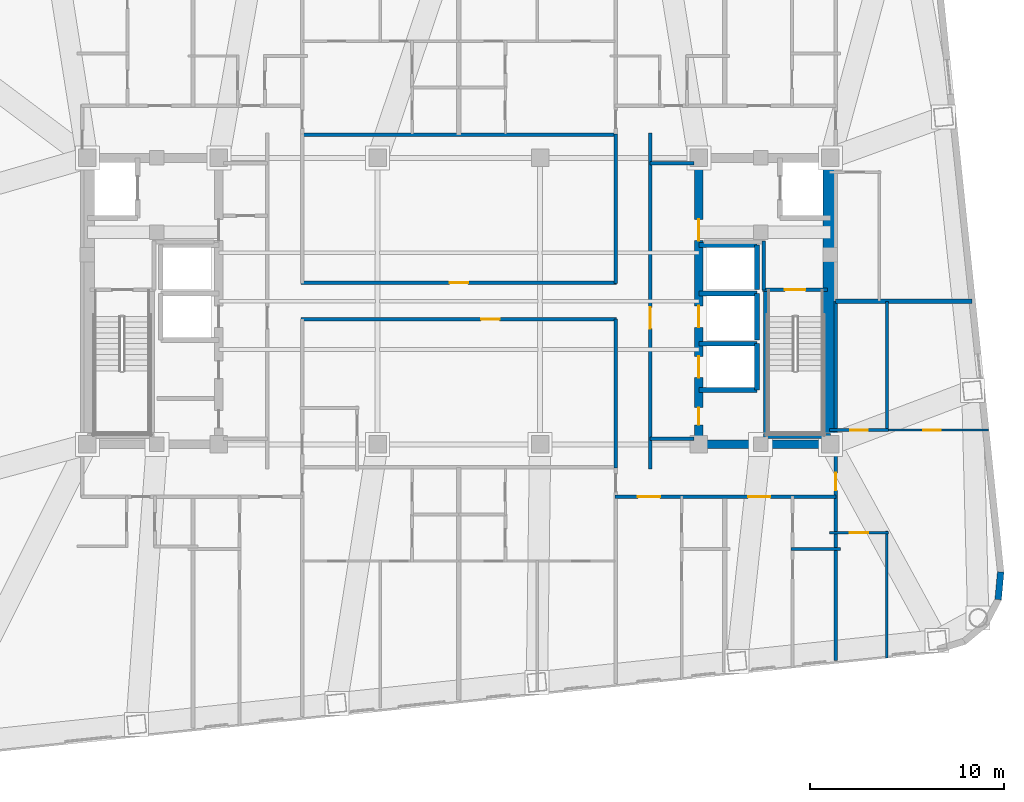
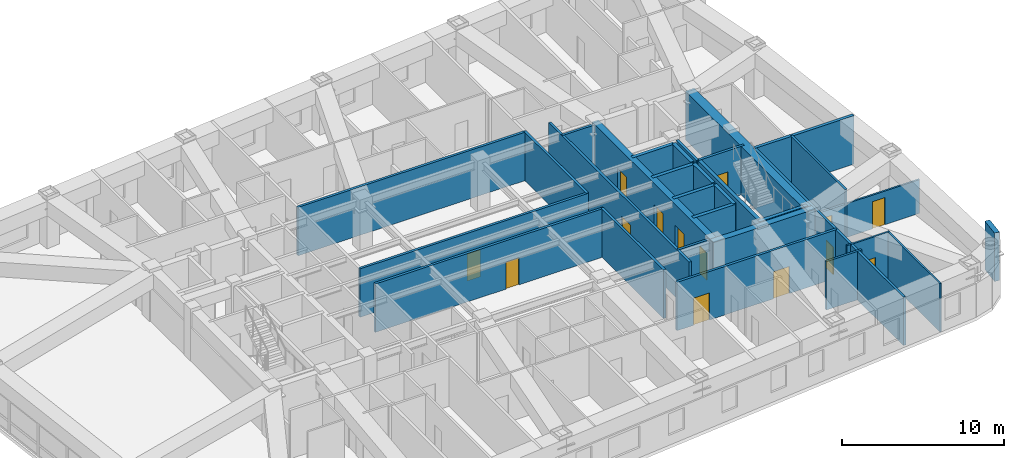
# One storey, part 9 of 14: 32 walls, 14 doors, 14 openings.
"""IFC4 building model written with IfcOpenShell, lengths in metres."""

from ifc_helpers import new_model, si_unit, direction, frame, frame_2d, origin, place, context, subcontext, project, spatial, rectangle, extrude, material, layer, layer_set, type_object, element, fill, save


model = new_model("IFC4")

# Units and contexts
model_context = context("Model", 3, precision=1e-05, world=origin(), true_north=direction((0.0, 1.0)))
body_context = subcontext(model_context, "Body", "Model", "MODEL_VIEW")
ifc_project = project(units=[si_unit("LENGTHUNIT", "METRE"), si_unit("AREAUNIT", "SQUARE_METRE"), si_unit("VOLUMEUNIT", "CUBIC_METRE"), si_unit("PLANEANGLEUNIT", "RADIAN"), si_unit("MASSUNIT", "GRAM", prefix="KILO")], contexts=[model_context])

# Site, building, storey
site_placement = place(None, origin())
site = spatial("IfcSite", under=ifc_project, at=site_placement, CompositionType="ELEMENT")
building_placement = place(site_placement, origin())
building = spatial("IfcBuilding", under=site, at=building_placement, Name="Voryun Gate Residences", CompositionType="ELEMENT")
storey_placement = place(building_placement, frame((0.0, 0.0, 144.300048828125)))
storey = spatial("IfcBuildingStorey", under=building, at=storey_placement, Name="L35", CompositionType="ELEMENT", Elevation=144.300048828125)

# Wall
ifc_material_1 = material(Name="Concrete C50/60", Category="concrete")
ifc_layer_1 = layer(ifc_material_1, 0.449951171875, Name="CW_CORE_450")
ifc_layer_set_1 = layer_set([ifc_layer_1], Name="Concrete C50/60")
wall_type_1 = type_object("IfcWallType", Name="CW_CORE_450", PredefinedType="SHEAR", material=ifc_layer_set_1)
wall_1_placement = place(storey_placement, frame((12.175048828125, -7.39990234375, 0.0), z_axis=(0.0, 0.0, 1.0), x_axis=(1.0, 0.0, 0.0)))
element("IfcWall", 1, at=wall_1_placement, inside=storey, type_object=wall_type_1, Name="L35 Core shear wall CW-L35-ES", PredefinedType="SHEAR", context=body_context, shape_type="SweptSolid", body=[
    extrude(rectangle(XDim=7.25, YDim=0.449951171875, at=frame_2d((3.625, 0.0))), origin(), (0.0, 0.0, 1.0), 3.64990234375),
])

# Wall, openings, doors
wall_2_placement = place(storey_placement, frame((12.39990234375, -7.39990234375, 0.0), z_axis=(0.0, 0.0, 1.0), x_axis=(0.0, 1.0, 0.0)))
wall_2 = element("IfcWall", 2, at=wall_2_placement, inside=storey, type_object=wall_type_1, Name="L35 Core shear wall CW-L35-EW", PredefinedType="SHEAR", context=body_context, shape_type="SweptSolid", body=[
    extrude(rectangle(XDim=14.7998046875, YDim=0.449951171875, at=frame_2d((7.39990234375, 0.0))), origin(), (0.0, 0.0, 1.0), 3.64990234375),
])
opening_1_placement = place(wall_2_placement, frame((3.449951171875, 0.0, 0.0)))
opening_1 = element("IfcOpeningElement", 3, at=opening_1_placement, cuts=wall_2, Name="Opening LD2", PredefinedType="OPENING", context=body_context, shape_type="SweptSolid", body=[
    extrude(rectangle(XDim=1.10009765625, YDim=2.050048828125, at=frame_2d((0.550048828125, 1.02490234375))), frame((0.0, 0.235107421875, 0.0), z_axis=(0.0, -1.0, 0.0), x_axis=(1.0, 0.0, 0.0)), (0.0, 0.0, 1.0), 0.469970703125),
])
opening_2_placement = place(wall_2_placement, frame((6.050048828125, 0.0, 0.0)))
opening_2 = element("IfcOpeningElement", 4, at=opening_2_placement, cuts=wall_2, Name="Opening LD2", PredefinedType="OPENING", context=body_context, shape_type="SweptSolid", body=[
    extrude(rectangle(XDim=1.10009765625, YDim=2.050048828125, at=frame_2d((0.550048828125, 1.02490234375))), frame((0.0, 0.235107421875, 0.0), z_axis=(0.0, -1.0, 0.0), x_axis=(1.0, 0.0, 0.0)), (0.0, 0.0, 1.0), 0.469970703125),
])
opening_3_placement = place(wall_2_placement, frame((10.530029296875, 0.0, 0.0)))
opening_3 = element("IfcOpeningElement", 5, at=opening_3_placement, cuts=wall_2, Name="Opening D-FD60-2", PredefinedType="OPENING", context=body_context, shape_type="SweptSolid", body=[
    extrude(rectangle(XDim=1.10009765625, YDim=2.050048828125, at=frame_2d((0.550048828125, 1.02490234375))), frame((0.0, 0.235107421875, 0.0), z_axis=(0.0, -1.0, 0.0), x_axis=(1.0, 0.0, 0.0)), (0.0, 0.0, 1.0), 0.469970703125),
])
opening_4_placement = place(wall_2_placement, frame((1.0, 0.0, 0.0)))
opening_4 = element("IfcOpeningElement", 6, at=opening_4_placement, cuts=wall_2, Name="Opening D-FD60-4", PredefinedType="OPENING", context=body_context, shape_type="SweptSolid", body=[
    extrude(rectangle(XDim=0.89990234375, YDim=2.050048828125, at=frame_2d((0.449951171875, 1.02490234375))), frame((0.0, 0.235107421875, 0.0), z_axis=(0.0, -1.0, 0.0), x_axis=(1.0, 0.0, 0.0)), (0.0, 0.0, 1.0), 0.469970703125),
])
ifc_material_2 = material(Name="Painted steel fire door", Category="steel")
door_type_1 = type_object("IfcDoorType", Name="DR_FD60_FFLOB_1100", OperationType="NOTDEFINED", PredefinedType="DOOR", material=ifc_material_2)
door_1_placement = place(opening_3_placement, origin())
door_1 = element("IfcDoor", 7, at=door_1_placement, inside=storey, type_object=door_type_1, Name="Door DR-L35-CLOB-E", OperationType="SINGLE_SWING_RIGHT", OverallHeight=2.050048828125, OverallWidth=1.10009765625, PredefinedType="DOOR", context=body_context, shape_type="SweptSolid", body=[
    extrude(rectangle(XDim=1.10009765625, YDim=2.050048828125, at=frame_2d((0.550048828125, 1.02490234375))), frame((0.0, 0.02490234375, 0.0), z_axis=(0.0, -1.0, 0.0), x_axis=(1.0, 0.0, 0.0)), (0.0, 0.0, 1.0), 0.050048828125),
])
fill(opening_3, door_1)
ifc_material_3 = material(Name="Painted steel fire door", Category="steel")
door_type_2 = type_object("IfcDoorType", Name="DR_FD60_RISER_900", OperationType="NOTDEFINED", PredefinedType="DOOR", material=ifc_material_3)
door_2_placement = place(opening_4_placement, origin())
door_2 = element("IfcDoor", 8, at=door_2_placement, inside=storey, type_object=door_type_2, Name="Door DR-L35-RECE1", OperationType="SINGLE_SWING_RIGHT", OverallHeight=2.050048828125, OverallWidth=0.89990234375, PredefinedType="DOOR", context=body_context, shape_type="SweptSolid", body=[
    extrude(rectangle(XDim=0.89990234375, YDim=2.050048828125, at=frame_2d((0.449951171875, 1.02490234375))), frame((0.0, 0.02490234375, 0.0), z_axis=(0.0, -1.0, 0.0), x_axis=(1.0, 0.0, 0.0)), (0.0, 0.0, 1.0), 0.050048828125),
])
fill(opening_4, door_2)
ifc_material_4 = material(Name="Anodised aluminium", Category="aluminium")
door_type_3 = type_object("IfcDoorType", Name="DR_LD_PASS_1100", OperationType="NOTDEFINED", PredefinedType="DOOR", material=ifc_material_4)
door_3_placement = place(opening_1_placement, origin())
door_3 = element("IfcDoor", 9, at=door_3_placement, inside=storey, type_object=door_type_3, Name="Lift EL-P5 sliding landing door L35", OperationType="SLIDING_TO_LEFT", OverallHeight=2.050048828125, OverallWidth=1.10009765625, PredefinedType="DOOR", context=body_context, shape_type="SweptSolid", body=[
    extrude(rectangle(XDim=1.10009765625, YDim=2.050048828125, at=frame_2d((0.550048828125, 1.02490234375))), frame((0.0, 0.02490234375, 0.0), z_axis=(0.0, -1.0, 0.0), x_axis=(1.0, 0.0, 0.0)), (0.0, 0.0, 1.0), 0.050048828125),
])
fill(opening_1, door_3)
door_4_placement = place(opening_2_placement, origin())
door_4 = element("IfcDoor", 10, at=door_4_placement, inside=storey, type_object=door_type_3, Name="Lift EL-P6 sliding landing door L35", OperationType="SLIDING_TO_LEFT", OverallHeight=2.050048828125, OverallWidth=1.10009765625, PredefinedType="DOOR", context=body_context, shape_type="SweptSolid", body=[
    extrude(rectangle(XDim=1.10009765625, YDim=2.050048828125, at=frame_2d((0.550048828125, 1.02490234375))), frame((0.0, 0.02490234375, 0.0), z_axis=(0.0, -1.0, 0.0), x_axis=(1.0, 0.0, 0.0)), (0.0, 0.0, 1.0), 0.050048828125),
])
fill(opening_2, door_4)

# Wall
ifc_material_5 = material(Name="Concrete C60/75", Category="concrete")
ifc_layer_2 = layer(ifc_material_5, 0.64990234375, Name="CW_CORE_650")
ifc_layer_set_2 = layer_set([ifc_layer_2], Name="Concrete C60/75")
wall_type_2 = type_object("IfcWallType", Name="CW_CORE_650", PredefinedType="SHEAR", material=ifc_layer_set_2)
wall_3_placement = place(storey_placement, frame((19.14501953125, -7.39990234375, 0.0), z_axis=(0.0, 0.0, 1.0), x_axis=(0.0, 1.0, 0.0)))
element("IfcWall", 11, at=wall_3_placement, inside=storey, type_object=wall_type_2, Name="L35 Core shear wall CW-L35-EE", PredefinedType="SHEAR", context=body_context, shape_type="SweptSolid", body=[
    extrude(rectangle(XDim=14.7998046875, YDim=0.64990234375, at=frame_2d((7.39990234375, 0.0))), origin(), (0.0, 0.0, 1.0), 3.64990234375),
])

# Wall, opening, door
ifc_material_6 = material(Name="Gypsum acoustic fireboard")
ifc_layer_3 = layer(ifc_material_6, 0.179931640625, Name="W_CORR_RATED_180")
ifc_layer_set_3 = layer_set([ifc_layer_3], Name="Gypsum acoustic fireboard")
wall_type_3 = type_object("IfcWallType", Name="W_CORR_RATED_180", PredefinedType="PARTITIONING", material=ifc_layer_set_3)
wall_4_placement = place(storey_placement, frame((15.699951171875, 0.60009765625, 0.0), z_axis=(0.0, 0.0, 1.0), x_axis=(1.0, 0.0, 0.0)))
wall_4 = element("IfcWall", 12, at=wall_4_placement, inside=storey, type_object=wall_type_3, Name="Partition wall WP-L35-STV-E", PredefinedType="PARTITIONING", context=body_context, shape_type="SweptSolid", body=[
    extrude(rectangle(XDim=3.360107421875, YDim=0.179931640625, at=frame_2d((1.68017578125, 0.0))), origin(), (0.0, 0.0, 1.0), 3.64990234375),
])
opening_5_placement = place(wall_4_placement, frame((1.155029296875, 0.0, 0.0)))
opening_5 = element("IfcOpeningElement", 13, at=opening_5_placement, cuts=wall_4, Name="Opening D-FD60-1", PredefinedType="OPENING", context=body_context, shape_type="SweptSolid", body=[
    extrude(rectangle(XDim=1.050048828125, YDim=2.050048828125, at=frame_2d((0.52490234375, 1.02490234375))), frame((0.0, 0.099853515625, 0.0), z_axis=(0.0, -1.0, 0.0), x_axis=(1.0, 0.0, 0.0)), (0.0, 0.0, 1.0), 0.199951171875),
])
ifc_material_7 = material(Name="Painted steel fire door", Category="steel")
door_type_4 = type_object("IfcDoorType", Name="DR_FD60_STAIR_1050", OperationType="NOTDEFINED", PredefinedType="DOOR", material=ifc_material_7)
door_5_placement = place(opening_5_placement, origin())
door_5 = element("IfcDoor", 14, at=door_5_placement, inside=storey, type_object=door_type_4, Name="Door DR-L35-ST-E", OperationType="SINGLE_SWING_RIGHT", OverallHeight=2.050048828125, OverallWidth=1.050048828125, PredefinedType="DOOR", context=body_context, shape_type="SweptSolid", body=[
    extrude(rectangle(XDim=1.050048828125, YDim=2.050048828125, at=frame_2d((0.52490234375, 1.02490234375))), frame((0.0, 0.02490234375, 0.0), z_axis=(0.0, -1.0, 0.0), x_axis=(1.0, 0.0, 0.0)), (0.0, 0.0, 1.0), 0.050048828125),
])
fill(opening_5, door_5)

# Walls
for number, where, z_axis, x_axis, name in (
    (15, (9.8798828125, 7.1201171875, 0.0), (0.0, 0.0, 1.0), (1.0, 0.0, 0.0), "Partition wall WP-L35-PLBN-E"),
    (16, (9.8798828125, -7.1201171875, 0.0), (0.0, 0.0, 1.0), (1.0, 0.0, 0.0), "Partition wall WP-L35-PLBS-E"),
):
    element("IfcWall", number, at=place(storey_placement, frame(where, z_axis=z_axis, x_axis=x_axis)), inside=storey, type_object=wall_type_3, Name=name, PredefinedType="PARTITIONING", context=body_context, shape_type="SweptSolid", body=[
        extrude(rectangle(XDim=2.27001953125, YDim=0.179931640625, at=frame_2d((1.135009765625, 0.0))), origin(), (0.0, 0.0, 1.0), 3.64990234375),
    ])

# Wall, opening, door
wall_5_placement = place(storey_placement, frame((9.89990234375, -8.679931640625, 0.0), z_axis=(0.0, 0.0, 1.0), x_axis=(0.0, 1.0, 0.0)))
wall_5 = element("IfcWall", 17, at=wall_5_placement, inside=storey, type_object=wall_type_3, Name="Partition wall WP-L35-PLBE-FULL", PredefinedType="PARTITIONING", context=body_context, shape_type="SweptSolid", body=[
    extrude(rectangle(XDim=17.35986328125, YDim=0.179931640625, at=frame_2d((8.679931640625, 0.0))), origin(), (0.0, 0.0, 1.0), 3.64990234375),
])
opening_6_placement = place(wall_5_placement, frame((7.261962890625, 0.0, 0.0)))
opening_6 = element("IfcOpeningElement", 18, at=opening_6_placement, cuts=wall_5, Name="Opening D-FD60-2", PredefinedType="OPENING", context=body_context, shape_type="SweptSolid", body=[
    extrude(rectangle(XDim=1.10009765625, YDim=2.050048828125, at=frame_2d((0.550048828125, 1.02490234375))), frame((0.0, 0.099853515625, 0.0), z_axis=(0.0, -1.0, 0.0), x_axis=(1.0, 0.0, 0.0)), (0.0, 0.0, 1.0), 0.199951171875),
])
door_6_placement = place(opening_6_placement, origin())
door_6 = element("IfcDoor", 19, at=door_6_placement, inside=storey, type_object=door_type_1, Name="Door DR-L35-PLBE-COR", OperationType="SINGLE_SWING_RIGHT", OverallHeight=2.050048828125, OverallWidth=1.10009765625, PredefinedType="DOOR", context=body_context, shape_type="SweptSolid", body=[
    extrude(rectangle(XDim=1.10009765625, YDim=2.050048828125, at=frame_2d((0.550048828125, 1.02490234375))), frame((0.0, 0.02490234375, 0.0), z_axis=(0.0, -1.0, 0.0), x_axis=(1.0, 0.0, 0.0)), (0.0, 0.0, 1.0), 0.050048828125),
])
fill(opening_6, door_6)

# Wall
wall_6_placement = place(storey_placement, frame((-8.14990234375, 8.590087890625, 0.0), z_axis=(0.0, 0.0, 1.0), x_axis=(1.0, 0.0, 0.0)))
element("IfcWall", 20, at=wall_6_placement, inside=storey, type_object=wall_type_3, Name="Partition wall WP-L35-Z2N", PredefinedType="PARTITIONING", context=body_context, shape_type="SweptSolid", body=[
    extrude(rectangle(XDim=16.2998046875, YDim=0.179931640625, at=frame_2d((8.14990234375, 0.0))), origin(), (0.0, 0.0, 1.0), 3.64990234375),
])

# Wall, opening, door
wall_7_placement = place(storey_placement, frame((-8.14990234375, 0.93994140625, 0.0), z_axis=(0.0, 0.0, 1.0), x_axis=(1.0, 0.0, 0.0)))
wall_7 = element("IfcWall", 21, at=wall_7_placement, inside=storey, type_object=wall_type_3, Name="Partition wall WP-L35-Z2HN", PredefinedType="PARTITIONING", context=body_context, shape_type="SweptSolid", body=[
    extrude(rectangle(XDim=16.2998046875, YDim=0.179931640625, at=frame_2d((8.14990234375, 0.0))), origin(), (0.0, 0.0, 1.0), 3.64990234375),
])
opening_7_placement = place(wall_7_placement, frame((7.675048828125, 0.0, 0.0)))
opening_7 = element("IfcOpeningElement", 22, at=opening_7_placement, cuts=wall_7, Name="Opening D-INT-1", PredefinedType="OPENING", context=body_context, shape_type="SweptSolid", body=[
    extrude(rectangle(XDim=0.949951171875, YDim=2.050048828125, at=frame_2d((0.47509765625, 1.02490234375))), frame((0.0, 0.099853515625, 0.0), z_axis=(0.0, -1.0, 0.0), x_axis=(1.0, 0.0, 0.0)), (0.0, 0.0, 1.0), 0.199951171875),
])
ifc_material_8 = material(Name="Architectural oak veneer")
door_type_5 = type_object("IfcDoorType", Name="DR_INT_ROOM_950", OperationType="NOTDEFINED", PredefinedType="DOOR", material=ifc_material_8)
door_7_placement = place(opening_7_placement, origin())
door_7 = element("IfcDoor", 23, at=door_7_placement, inside=storey, type_object=door_type_5, Name="Door DR-L35-Z2NH", OperationType="SINGLE_SWING_LEFT", OverallHeight=2.050048828125, OverallWidth=0.949951171875, PredefinedType="DOOR", context=body_context, shape_type="SweptSolid", body=[
    extrude(rectangle(XDim=0.949951171875, YDim=2.050048828125, at=frame_2d((0.47509765625, 1.02490234375))), frame((0.0, 0.02490234375, 0.0), z_axis=(0.0, -1.0, 0.0), x_axis=(1.0, 0.0, 0.0)), (0.0, 0.0, 1.0), 0.050048828125),
])
fill(opening_7, door_7)

wall_8_placement = place(storey_placement, frame((-8.14990234375, -0.93994140625, 0.0), z_axis=(0.0, 0.0, 1.0), x_axis=(1.0, 0.0, 0.0)))
wall_8 = element("IfcWall", 24, at=wall_8_placement, inside=storey, type_object=wall_type_3, Name="Partition wall WP-L35-Z2HS", PredefinedType="PARTITIONING", context=body_context, shape_type="SweptSolid", body=[
    extrude(rectangle(XDim=16.2998046875, YDim=0.179931640625, at=frame_2d((8.14990234375, 0.0))), origin(), (0.0, 0.0, 1.0), 3.64990234375),
])
opening_8_placement = place(wall_8_placement, frame((9.304931640625, 0.0, 0.0)))
opening_8 = element("IfcOpeningElement", 25, at=opening_8_placement, cuts=wall_8, Name="Opening D-INT-1", PredefinedType="OPENING", context=body_context, shape_type="SweptSolid", body=[
    extrude(rectangle(XDim=0.949951171875, YDim=2.050048828125, at=frame_2d((0.47509765625, 1.02490234375))), frame((0.0, 0.099853515625, 0.0), z_axis=(0.0, -1.0, 0.0), x_axis=(1.0, 0.0, 0.0)), (0.0, 0.0, 1.0), 0.199951171875),
])
door_8_placement = place(opening_8_placement, origin())
door_8 = element("IfcDoor", 26, at=door_8_placement, inside=storey, type_object=door_type_5, Name="Door DR-L35-Z2SH", OperationType="SINGLE_SWING_RIGHT", OverallHeight=2.050048828125, OverallWidth=0.949951171875, PredefinedType="DOOR", context=body_context, shape_type="SweptSolid", body=[
    extrude(rectangle(XDim=0.949951171875, YDim=2.050048828125, at=frame_2d((0.47509765625, 1.02490234375))), frame((0.0, 0.02490234375, 0.0), z_axis=(0.0, -1.0, 0.0), x_axis=(1.0, 0.0, 0.0)), (0.0, 0.0, 1.0), 0.050048828125),
])
fill(opening_8, door_8)

# Walls
for number, where, z_axis, x_axis, name in (
    (27, (8.10009765625, 0.919921875, 0.0), (0.0, 0.0, 1.0), (0.0, 1.0, 0.0), "Partition wall WP-L35-Z2ER1"),
    (28, (8.10009765625, -8.6298828125, 0.0), (0.0, 0.0, 1.0), (0.0, 1.0, 0.0), "Partition wall WP-L35-Z2ER2"),
):
    element("IfcWall", number, at=place(storey_placement, frame(where, z_axis=z_axis, x_axis=x_axis)), inside=storey, type_object=wall_type_3, Name=name, PredefinedType="PARTITIONING", context=body_context, shape_type="SweptSolid", body=[
        extrude(rectangle(XDim=7.7099609375, YDim=0.179931640625, at=frame_2d((3.85498046875, 0.0))), origin(), (0.0, 0.0, 1.0), 3.64990234375),
    ])

# Wall, openings, doors
wall_9_placement = place(storey_placement, frame((8.080078125, -10.10009765625, 0.0), z_axis=(0.0, 0.0, 1.0), x_axis=(1.0, 0.0, 0.0)))
wall_9 = element("IfcWall", 29, at=wall_9_placement, inside=storey, type_object=wall_type_3, Name="Partition wall WP-L35-SCORR-E", PredefinedType="PARTITIONING", context=body_context, shape_type="SweptSolid", body=[
    extrude(rectangle(XDim=11.419921875, YDim=0.179931640625, at=frame_2d((5.7099609375, 0.0))), origin(), (0.0, 0.0, 1.0), 3.64990234375),
])
opening_9_placement = place(wall_9_placement, frame((1.174560546875, 0.0, 0.0)))
opening_9 = element("IfcOpeningElement", 30, at=opening_9_placement, cuts=wall_9, Name="Opening D-UNIT-1", PredefinedType="OPENING", context=body_context, shape_type="SweptSolid", body=[
    extrude(rectangle(XDim=1.14990234375, YDim=2.050048828125, at=frame_2d((0.574951171875, 1.02490234375))), frame((0.0, 0.099853515625, 0.0), z_axis=(0.0, -1.0, 0.0), x_axis=(1.0, 0.0, 0.0)), (0.0, 0.0, 1.0), 0.199951171875),
])
opening_10_placement = place(wall_9_placement, frame((6.86962890625, 0.0, 0.0)))
opening_10 = element("IfcOpeningElement", 31, at=opening_10_placement, cuts=wall_9, Name="Opening D-UNIT-1", PredefinedType="OPENING", context=body_context, shape_type="SweptSolid", body=[
    extrude(rectangle(XDim=1.14990234375, YDim=2.050048828125, at=frame_2d((0.574951171875, 1.02490234375))), frame((0.0, 0.099853515625, 0.0), z_axis=(0.0, -1.0, 0.0), x_axis=(1.0, 0.0, 0.0)), (0.0, 0.0, 1.0), 0.199951171875),
])
ifc_material_9 = material(Name="Armoured timber-clad fire door", Category="wood")
door_type_6 = type_object("IfcDoorType", Name="DR_UNIT_ENTRY_1150", OperationType="NOTDEFINED", PredefinedType="DOOR", material=ifc_material_9)
door_9_placement = place(opening_9_placement, origin())
door_9 = element("IfcDoor", 32, at=door_9_placement, inside=storey, type_object=door_type_6, Name="Door DR-L35-SENT-4", OperationType="SINGLE_SWING_LEFT", OverallHeight=2.050048828125, OverallWidth=1.14990234375, PredefinedType="DOOR", context=body_context, shape_type="SweptSolid", body=[
    extrude(rectangle(XDim=1.14990234375, YDim=2.050048828125, at=frame_2d((0.574951171875, 1.02490234375))), frame((0.0, 0.02490234375, 0.0), z_axis=(0.0, -1.0, 0.0), x_axis=(1.0, 0.0, 0.0)), (0.0, 0.0, 1.0), 0.050048828125),
])
fill(opening_9, door_9)
door_10_placement = place(opening_10_placement, origin())
door_10 = element("IfcDoor", 33, at=door_10_placement, inside=storey, type_object=door_type_6, Name="Door DR-L35-SENT-5", OperationType="SINGLE_SWING_RIGHT", OverallHeight=2.050048828125, OverallWidth=1.14990234375, PredefinedType="DOOR", context=body_context, shape_type="SweptSolid", body=[
    extrude(rectangle(XDim=1.14990234375, YDim=2.050048828125, at=frame_2d((0.574951171875, 1.02490234375))), frame((0.0, 0.02490234375, 0.0), z_axis=(0.0, -1.0, 0.0), x_axis=(1.0, 0.0, 0.0)), (0.0, 0.0, 1.0), 0.050048828125),
])
fill(opening_10, door_10)

# Wall, opening, door
wall_10_placement = place(storey_placement, frame((19.469970703125, -18.55859375, 0.0), z_axis=(0.0, 0.0, 1.0), x_axis=(0.0, 1.0, 0.0)))
wall_10 = element("IfcWall", 34, at=wall_10_placement, inside=storey, type_object=wall_type_3, Name="Partition wall WP-L35-ECOR1", PredefinedType="PARTITIONING", context=body_context, shape_type="SweptSolid", body=[
    extrude(rectangle(XDim=18.55859375, YDim=0.179931640625, at=frame_2d((9.279296875, 0.0))), origin(), (0.0, 0.0, 1.0), 3.64990234375),
])
opening_11_placement = place(wall_10_placement, frame((8.779296875, 0.0, 0.0)))
opening_11 = element("IfcOpeningElement", 35, at=opening_11_placement, cuts=wall_10, Name="Opening D-INT-2", PredefinedType="OPENING", context=body_context, shape_type="SweptSolid", body=[
    extrude(rectangle(XDim=0.89990234375, YDim=2.050048828125, at=frame_2d((0.449951171875, 1.02490234375))), frame((0.0, 0.099853515625, 0.0), z_axis=(0.0, -1.0, 0.0), x_axis=(1.0, 0.0, 0.0)), (0.0, 0.0, 1.0), 0.199951171875),
])
ifc_material_10 = material(Name="Architectural oak veneer")
door_type_7 = type_object("IfcDoorType", Name="DR_INT_BATH_900", OperationType="NOTDEFINED", PredefinedType="DOOR", material=ifc_material_10)
door_11_placement = place(opening_11_placement, origin())
door_11 = element("IfcDoor", 36, at=door_11_placement, inside=storey, type_object=door_type_7, Name="Door DR-L35-EE1", OperationType="SINGLE_SWING_LEFT", OverallHeight=2.050048828125, OverallWidth=0.89990234375, PredefinedType="DOOR", context=body_context, shape_type="SweptSolid", body=[
    extrude(rectangle(XDim=0.89990234375, YDim=2.050048828125, at=frame_2d((0.449951171875, 1.02490234375))), frame((0.0, 0.02490234375, 0.0), z_axis=(0.0, -1.0, 0.0), x_axis=(1.0, 0.0, 0.0)), (0.0, 0.0, 1.0), 0.050048828125),
])
fill(opening_11, door_11)

# Walls
ifc_material_11 = material(Name="Charcoal terracotta masonry", Category="masonry")
ifc_layer_4 = layer(ifc_material_11, 0.340087890625, Name="W_EXT_TERRACOTTA_340")
ifc_layer_set_4 = layer_set([ifc_layer_4], Name="Charcoal terracotta masonry")
wall_type_4 = type_object("IfcWallType", Name="W_EXT_TERRACOTTA_340", PredefinedType="ELEMENTEDWALL", material=ifc_layer_set_4)
wall_11_placement = place(storey_placement, frame((28.001220703125, -13.9951171875, 0.0), z_axis=(0.0, 0.0, 1.0), x_axis=(-0.091534682358, -0.995801888894, 0.0)))
element("IfcWall", 37, at=wall_11_placement, inside=storey, type_object=wall_type_4, Name="Exterior wall WEXT-L35-17", PredefinedType="ELEMENTEDWALL", context=body_context, shape_type="SweptSolid", body=[
    extrude(rectangle(XDim=1.432373046875, YDim=0.340087890625, at=frame_2d((0.71630859375, 0.0))), origin(), (0.0, 0.0, 1.0), 3.64990234375),
])
ifc_material_12 = material(Name="Concrete C40/50", Category="concrete")
ifc_layer_5 = layer(ifc_material_12, 0.199951171875, Name="W_FF_LOBBY_200")
ifc_layer_set_5 = layer_set([ifc_layer_5], Name="Concrete C40/50")
wall_type_5 = type_object("IfcWallType", Name="W_FF_LOBBY_200", PredefinedType="PARTITIONING", material=ifc_layer_set_5)
wall_12_placement = place(storey_placement, frame((15.760009765625, 0.580078125, 0.0), z_axis=(0.0, 0.0, 1.0), x_axis=(0.0, 1.0, 0.0)))
element("IfcWall", 38, at=wall_12_placement, inside=storey, type_object=wall_type_5, Name="Partition wall WP-L35-FFP0-E", PredefinedType="PARTITIONING", context=body_context, shape_type="SweptSolid", body=[
    extrude(rectangle(XDim=2.52001953125, YDim=0.199951171875, at=frame_2d((1.260009765625, 0.0))), origin(), (0.0, 0.0, 1.0), 3.64990234375),
])
ifc_material_13 = material(Name="Concrete C40/50", Category="concrete")
ifc_layer_6 = layer(ifc_material_13, 0.219970703125, Name="W_PARTY_ACOUSTIC_220")
ifc_layer_set_6 = layer_set([ifc_layer_6], Name="Concrete C40/50")
wall_type_6 = type_object("IfcWallType", Name="W_PARTY_ACOUSTIC_220", PredefinedType="PARTITIONING", material=ifc_layer_set_6)
wall_13_placement = place(storey_placement, frame((19.469970703125, 0.0, 0.0), z_axis=(0.0, 0.0, 1.0), x_axis=(1.0, 0.0, 0.0)))
element("IfcWall", 39, at=wall_13_placement, inside=storey, type_object=wall_type_6, Name="Partition wall WP-L35-EPTY", PredefinedType="PARTITIONING", context=body_context, shape_type="SweptSolid", body=[
    extrude(rectangle(XDim=7.06005859375, YDim=0.219970703125, at=frame_2d((3.530029296875, 0.0))), origin(), (0.0, 0.0, 1.0), 3.64990234375),
])
ifc_material_14 = material(Name="Concrete C50/60", Category="concrete")
ifc_layer_7 = layer(ifc_material_14, 0.25, Name="W_SHAFT_RC250")
ifc_layer_set_7 = layer_set([ifc_layer_7], Name="Concrete C50/60")
wall_type_7 = type_object("IfcWallType", Name="W_SHAFT_RC250", PredefinedType="SOLIDWALL", material=ifc_layer_set_7)
wall_14_placement = place(storey_placement, frame((15.860107421875, -7.0849609375, 0.0), z_axis=(0.0, 0.0, 1.0), x_axis=(0.0, 1.0, 0.0)))
element("IfcWall", 40, at=wall_14_placement, inside=storey, type_object=wall_type_7, Name="L35 Stair shaft structural wall E-STL", PredefinedType="SOLIDWALL", context=body_context, shape_type="SweptSolid", body=[
    extrude(rectangle(XDim=7.68505859375, YDim=0.25, at=frame_2d((3.842529296875, 0.0))), origin(), (0.0, 0.0, 1.0), 3.64990234375),
])
wall_15_placement = place(storey_placement, frame((15.739990234375, -6.965087890625, 0.0), z_axis=(0.0, 0.0, 1.0), x_axis=(1.0, 0.0, 0.0)))
element("IfcWall", 41, at=wall_15_placement, inside=storey, type_object=wall_type_7, Name="L35 Stair shaft structural wall E-STS", PredefinedType="SOLIDWALL", context=body_context, shape_type="SweptSolid", body=[
    extrude(rectangle(XDim=3.4599609375, YDim=0.25, at=frame_2d((1.72998046875, 0.0))), origin(), (0.0, 0.0, 1.0), 3.64990234375),
])
wall_16_placement = place(storey_placement, frame((12.39990234375, -4.60009765625, 0.0), z_axis=(0.0, 0.0, 1.0), x_axis=(1.0, 0.0, 0.0)))
element("IfcWall", 42, at=wall_16_placement, inside=storey, type_object=wall_type_7, Name="Lift shaft wall WSH-L35-EL-P5-S", PredefinedType="SOLIDWALL", context=body_context, shape_type="SweptSolid", body=[
    extrude(rectangle(XDim=3.0, YDim=0.25, at=frame_2d((1.5, 0.0))), origin(), (0.0, 0.0, 1.0), 3.64990234375),
])
wall_17_placement = place(storey_placement, frame((15.39990234375, -4.60009765625, 0.0), z_axis=(0.0, 0.0, 1.0), x_axis=(0.0, 1.0, 0.0)))
element("IfcWall", 43, at=wall_17_placement, inside=storey, type_object=wall_type_7, Name="Lift shaft wall WSH-L35-EL-P5-E", PredefinedType="SOLIDWALL", context=body_context, shape_type="SweptSolid", body=[
    extrude(rectangle(XDim=2.400146484375, YDim=0.25, at=frame_2d((1.2001953125, 0.0))), origin(), (0.0, 0.0, 1.0), 3.64990234375),
])
wall_18_placement = place(storey_placement, frame((15.39990234375, -2.199951171875, 0.0), z_axis=(0.0, 0.0, 1.0), x_axis=(-1.0, 0.0, 0.0)))
element("IfcWall", 44, at=wall_18_placement, inside=storey, type_object=wall_type_7, Name="Lift shaft wall WSH-L35-EL-P5-N", PredefinedType="SOLIDWALL", context=body_context, shape_type="SweptSolid", body=[
    extrude(rectangle(XDim=3.0, YDim=0.25, at=frame_2d((1.5, 0.0))), origin(), (0.0, 0.0, 1.0), 3.64990234375),
])
wall_19_placement = place(storey_placement, frame((15.39990234375, -2.0, 0.0), z_axis=(0.0, 0.0, 1.0), x_axis=(0.0, 1.0, 0.0)))
element("IfcWall", 45, at=wall_19_placement, inside=storey, type_object=wall_type_7, Name="Lift shaft wall WSH-L35-EL-P6-E", PredefinedType="SOLIDWALL", context=body_context, shape_type="SweptSolid", body=[
    extrude(rectangle(XDim=2.39990234375, YDim=0.25, at=frame_2d((1.199951171875, 0.0))), origin(), (0.0, 0.0, 1.0), 3.64990234375),
])
wall_20_placement = place(storey_placement, frame((15.39990234375, 0.39990234375, 0.0), z_axis=(0.0, 0.0, 1.0), x_axis=(-1.0, 0.0, 0.0)))
element("IfcWall", 46, at=wall_20_placement, inside=storey, type_object=wall_type_7, Name="Lift shaft wall WSH-L35-EL-P6-N", PredefinedType="SOLIDWALL", context=body_context, shape_type="SweptSolid", body=[
    extrude(rectangle(XDim=3.0, YDim=0.25, at=frame_2d((1.5, 0.0))), origin(), (0.0, 0.0, 1.0), 3.64990234375),
])
wall_21_placement = place(storey_placement, frame((15.39990234375, 0.60009765625, 0.0), z_axis=(0.0, 0.0, 1.0), x_axis=(0.0, 1.0, 0.0)))
element("IfcWall", 47, at=wall_21_placement, inside=storey, type_object=wall_type_7, Name="Lift shaft wall WSH-L35-EL-P8-E", PredefinedType="SOLIDWALL", context=body_context, shape_type="SweptSolid", body=[
    extrude(rectangle(XDim=2.2998046875, YDim=0.25, at=frame_2d((1.14990234375, 0.0))), origin(), (0.0, 0.0, 1.0), 3.64990234375),
])
wall_22_placement = place(storey_placement, frame((15.39990234375, 2.89990234375, 0.0), z_axis=(0.0, 0.0, 1.0), x_axis=(-1.0, 0.0, 0.0)))
element("IfcWall", 48, at=wall_22_placement, inside=storey, type_object=wall_type_7, Name="Lift shaft wall WSH-L35-EL-P8-N", PredefinedType="SOLIDWALL", context=body_context, shape_type="SweptSolid", body=[
    extrude(rectangle(XDim=3.0, YDim=0.25, at=frame_2d((1.5, 0.0))), origin(), (0.0, 0.0, 1.0), 3.64990234375),
])

# Wall, opening, door
ifc_material_15 = material(Name="Gypsum acoustic partition")
ifc_layer_8 = layer(ifc_material_15, 0.125, Name="W_UNIT_PART_125")
ifc_layer_set_8 = layer_set([ifc_layer_8], Name="Gypsum acoustic partition")
wall_type_8 = type_object("IfcWallType", Name="W_UNIT_PART_125", PredefinedType="PARTITIONING", material=ifc_layer_set_8)
wall_23_placement = place(storey_placement, frame((22.06005859375, -6.659912109375, 0.0), z_axis=(0.0, 0.0, 1.0), x_axis=(1.0, 0.0, 0.0)))
wall_23 = element("IfcWall", 49, at=wall_23_placement, inside=storey, type_object=wall_type_8, Name="Partition wall WP-L35-E1-OHZ", PredefinedType="PARTITIONING", context=body_context, shape_type="SweptSolid", body=[
    extrude(rectangle(XDim=5.321044921875, YDim=0.125, at=frame_2d((2.66064453125, 0.0))), origin(), (0.0, 0.0, 1.0), 2.5400390625),
])
opening_12_placement = place(wall_23_placement, frame((1.944580078125, 0.0, 0.0)))
opening_12 = element("IfcOpeningElement", 50, at=opening_12_placement, cuts=wall_23, Name="Opening D-INT-2", PredefinedType="OPENING", context=body_context, shape_type="SweptSolid", body=[
    extrude(rectangle(XDim=0.89990234375, YDim=2.050048828125, at=frame_2d((0.449951171875, 1.02490234375))), frame((0.0, 0.072509765625, 0.0), z_axis=(0.0, -1.0, 0.0), x_axis=(1.0, 0.0, 0.0)), (0.0, 0.0, 1.0), 0.14501953125),
])
door_12_placement = place(opening_12_placement, origin())
door_12 = element("IfcDoor", 51, at=door_12_placement, inside=storey, type_object=door_type_7, Name="Door DR-L35-E1-DMB", OperationType="SINGLE_SWING_LEFT", OverallHeight=2.050048828125, OverallWidth=0.89990234375, PredefinedType="DOOR", context=body_context, shape_type="SweptSolid", body=[
    extrude(rectangle(XDim=0.89990234375, YDim=2.050048828125, at=frame_2d((0.449951171875, 1.02490234375))), frame((0.0, 0.02490234375, 0.0), z_axis=(0.0, -1.0, 0.0), x_axis=(1.0, 0.0, 0.0)), (0.0, 0.0, 1.0), 0.050048828125),
])
fill(opening_12, door_12)

wall_24_placement = place(storey_placement, frame((19.14990234375, -11.966064453125, 0.0), z_axis=(0.0, 0.0, 1.0), x_axis=(1.0, 0.0, 0.0)))
wall_24 = element("IfcWall", 52, at=wall_24_placement, inside=storey, type_object=wall_type_8, Name="Partition wall WP-L35-E1-IKA", PredefinedType="PARTITIONING", context=body_context, shape_type="SweptSolid", body=[
    extrude(rectangle(XDim=3.050048828125, YDim=0.125, at=frame_2d((1.52490234375, 0.0))), origin(), (0.0, 0.0, 1.0), 3.64990234375),
])
opening_13_placement = place(wall_24_placement, frame((1.050048828125, 0.0, 0.0)))
opening_13 = element("IfcOpeningElement", 53, at=opening_13_placement, cuts=wall_24, Name="Opening D-INT-1", PredefinedType="OPENING", context=body_context, shape_type="SweptSolid", body=[
    extrude(rectangle(XDim=0.949951171875, YDim=2.050048828125, at=frame_2d((0.47509765625, 1.02490234375))), frame((0.0, 0.072509765625, 0.0), z_axis=(0.0, -1.0, 0.0), x_axis=(1.0, 0.0, 0.0)), (0.0, 0.0, 1.0), 0.14501953125),
])
door_13_placement = place(opening_13_placement, origin())
door_13 = element("IfcDoor", 54, at=door_13_placement, inside=storey, type_object=door_type_5, Name="Door DR-L35-E1-DK", OperationType="SINGLE_SWING_LEFT", OverallHeight=2.050048828125, OverallWidth=0.949951171875, PredefinedType="DOOR", context=body_context, shape_type="SweptSolid", body=[
    extrude(rectangle(XDim=0.949951171875, YDim=2.050048828125, at=frame_2d((0.47509765625, 1.02490234375))), frame((0.0, 0.02490234375, 0.0), z_axis=(0.0, -1.0, 0.0), x_axis=(1.0, 0.0, 0.0)), (0.0, 0.0, 1.0), 0.050048828125),
])
fill(opening_13, door_13)

# Walls
wall_25_placement = place(storey_placement, frame((22.1201171875, -18.430908203125, 0.0), z_axis=(0.0, 0.0, 1.0), x_axis=(0.0, 1.0, 0.0)))
element("IfcWall", 55, at=wall_25_placement, inside=storey, type_object=wall_type_8, Name="Partition wall WP-L35-E1-VTA", PredefinedType="PARTITIONING", context=body_context, shape_type="SweptSolid", body=[
    extrude(rectangle(XDim=6.544921875, YDim=0.125, at=frame_2d((3.2724609375, 0.0))), origin(), (0.0, 0.0, 1.0), 3.64990234375),
])
ifc_material_16 = material(Name="Gypsum moisture-resistant partition")
ifc_layer_9 = layer(ifc_material_16, 0.14990234375, Name="W_WET_PLUMB_150")
ifc_layer_set_9 = layer_set([ifc_layer_9], Name="Gypsum moisture-resistant partition")
wall_type_9 = type_object("IfcWallType", Name="W_WET_PLUMB_150", PredefinedType="PLUMBINGWALL", material=ifc_layer_set_9)
wall_26_placement = place(storey_placement, frame((17.169921875, -12.800048828125, 0.0), z_axis=(0.0, 0.0, 1.0), x_axis=(1.0, 0.0, 0.0)))
element("IfcWall", 56, at=wall_26_placement, inside=storey, type_object=wall_type_9, Name="Partition wall WP-L35-S5-SKB", PredefinedType="PLUMBINGWALL", context=body_context, shape_type="SweptSolid", body=[
    extrude(rectangle(XDim=2.550048828125, YDim=0.14990234375, at=frame_2d((1.27490234375, 0.0))), origin(), (0.0, 0.0, 1.0), 3.64990234375),
])

# Wall, opening, door
wall_27_placement = place(storey_placement, frame((19.14990234375, -6.659912109375, 0.0), z_axis=(0.0, 0.0, 1.0), x_axis=(1.0, 0.0, 0.0)))
wall_27 = element("IfcWall", 57, at=wall_27_placement, inside=storey, type_object=wall_type_9, Name="Partition wall WP-L35-E1-IBB", PredefinedType="PLUMBINGWALL", context=body_context, shape_type="SweptSolid", body=[
    extrude(rectangle(XDim=3.050048828125, YDim=0.14990234375, at=frame_2d((1.52490234375, 0.0))), origin(), (0.0, 0.0, 1.0), 2.5400390625),
])
opening_14_placement = place(wall_27_placement, frame((1.074951171875, 0.0, 0.0)))
opening_14 = element("IfcOpeningElement", 58, at=opening_14_placement, cuts=wall_27, Name="Opening D-INT-2", PredefinedType="OPENING", context=body_context, shape_type="SweptSolid", body=[
    extrude(rectangle(XDim=0.89990234375, YDim=2.050048828125, at=frame_2d((0.449951171875, 1.02490234375))), frame((0.0, 0.0849609375, 0.0), z_axis=(0.0, -1.0, 0.0), x_axis=(1.0, 0.0, 0.0)), (0.0, 0.0, 1.0), 0.169921875),
])
door_14_placement = place(opening_14_placement, origin())
door_14 = element("IfcDoor", 59, at=door_14_placement, inside=storey, type_object=door_type_7, Name="Door DR-L35-E1-DB", OperationType="SINGLE_SWING_RIGHT", OverallHeight=2.050048828125, OverallWidth=0.89990234375, PredefinedType="DOOR", context=body_context, shape_type="SweptSolid", body=[
    extrude(rectangle(XDim=0.89990234375, YDim=2.050048828125, at=frame_2d((0.449951171875, 1.02490234375))), frame((0.0, 0.02490234375, 0.0), z_axis=(0.0, -1.0, 0.0), x_axis=(1.0, 0.0, 0.0)), (0.0, 0.0, 1.0), 0.050048828125),
])
fill(opening_14, door_14)

# Wall
wall_28_placement = place(storey_placement, frame((22.1201171875, -6.739990234375, 0.0), z_axis=(0.0, 0.0, 1.0), x_axis=(0.0, 1.0, 0.0)))
element("IfcWall", 60, at=wall_28_placement, inside=storey, type_object=wall_type_9, Name="Partition wall WP-L35-E1-VTB", PredefinedType="PLUMBINGWALL", context=body_context, shape_type="SweptSolid", body=[
    extrude(rectangle(XDim=6.719970703125, YDim=0.14990234375, at=frame_2d((3.35986328125, 0.0))), origin(), (0.0, 0.0, 1.0), 3.64990234375),
])

save(model, "model.ifc")
